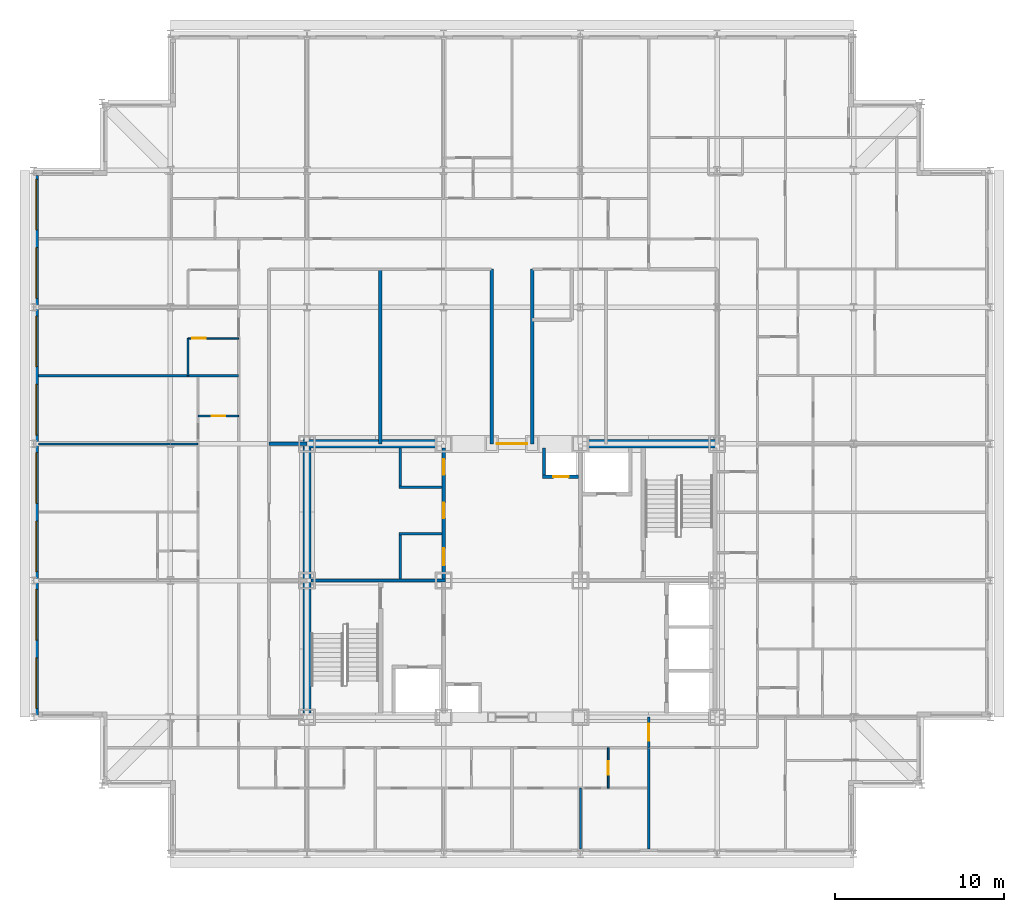
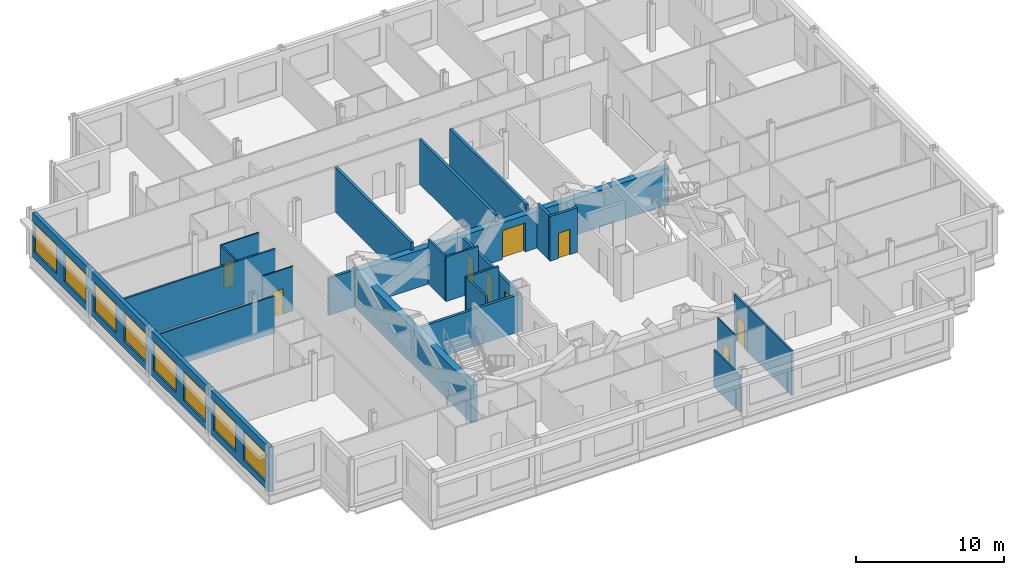
# One storey, part 9 of 15: 24 walls, 9 doors, 8 windows, 17 openings.
"""IFC4 building model written with IfcOpenShell, lengths in metres."""

from ifc_helpers import new_model, si_unit, direction, frame, frame_2d, origin, place, context, subcontext, project, spatial, rectangle, extrude, material, layer, layer_set, type_object, element, fill, save


model = new_model("IFC4")

# Units and contexts
model_context = context("Model", 3, precision=1e-05, world=origin(), true_north=direction((0.0, 1.0)))
body_context = subcontext(model_context, "Body", "Model", "MODEL_VIEW")
ifc_project = project(units=[si_unit("LENGTHUNIT", "METRE"), si_unit("AREAUNIT", "SQUARE_METRE"), si_unit("VOLUMEUNIT", "CUBIC_METRE"), si_unit("PLANEANGLEUNIT", "RADIAN"), si_unit("MASSUNIT", "GRAM", prefix="KILO")], contexts=[model_context])

# Site, building, storey
site_placement = place(None, origin())
site = spatial("IfcSite", under=ifc_project, at=site_placement, CompositionType="ELEMENT")
building_placement = place(site_placement, origin())
building = spatial("IfcBuilding", under=site, at=building_placement, Name="Kopane Lantern Tower", CompositionType="ELEMENT")
storey_placement = place(building_placement, frame((0.0, 0.0, 246.300048828125)))
storey = spatial("IfcBuildingStorey", under=building, at=storey_placement, Name="L63", CompositionType="ELEMENT", Elevation=246.300048828125)

# Walls
ifc_material_1 = material(Name="Gypsum board on steel studs", Category="steel")
ifc_layer_1 = layer(ifc_material_1, 0.1201171875)
ifc_layer_set_1 = layer_set([ifc_layer_1], Name="APARTMENT INTERNAL WALL 120")
wall_type_1 = type_object("IfcWallType", Name="APARTMENT INTERNAL WALL 120", PredefinedType="PARTITIONING", material=ifc_layer_set_1)
wall_1_placement = place(storey_placement, frame((32.39990234375, 20.10009765625, 0.0), z_axis=(0.0, 0.0, 1.0), x_axis=(0.0, -1.0, 0.0)))
element("IfcWall", 1, at=wall_1_placement, inside=storey, type_object=wall_type_1, Name="Apartment Internal Wall 120 L63", PredefinedType="PARTITIONING", context=body_context, shape_type="SweptSolid", body=[
    extrude(rectangle(XDim=3.60009765625, YDim=0.1201171875, at=frame_2d((1.800048828125, 0.0))), origin(), (0.0, 0.0, 1.0), 3.07763671875),
])
wall_2_placement = place(storey_placement, frame((9.75, 40.5, 0.0), z_axis=(0.0, 0.0, 1.0), x_axis=(-1.0, 0.0, 0.0)))
element("IfcWall", 2, at=wall_2_placement, inside=storey, type_object=wall_type_1, Name="Apartment Internal Wall 120 L63", PredefinedType="PARTITIONING", context=body_context, shape_type="SweptSolid", body=[
    extrude(rectangle(XDim=9.449951171875, YDim=0.1201171875, at=frame_2d((4.72509765625, 0.0))), origin(), (0.0, 0.0, 1.0), 3.07763671875),
])

# Wall, opening, door
ifc_material_2 = material(Name="Moisture-resistant board on steel studs", Category="steel")
ifc_layer_2 = layer(ifc_material_2, 0.10009765625)
ifc_layer_set_2 = layer_set([ifc_layer_2], Name="BATHROOM WALL 100")
wall_type_2 = type_object("IfcWallType", Name="BATHROOM WALL 100", PredefinedType="PARTITIONING", material=ifc_layer_set_2)
wall_3_placement = place(storey_placement, frame((34.050048828125, 22.5, 0.0), z_axis=(0.0, 0.0, 1.0), x_axis=(0.0, -1.0, 0.0)))
wall_3 = element("IfcWall", 3, at=wall_3_placement, inside=storey, type_object=wall_type_2, Name="Bathroom Wall 100 L63", PredefinedType="PARTITIONING", context=body_context, shape_type="SweptSolid", body=[
    extrude(rectangle(XDim=2.39990234375, YDim=0.10009765625, at=frame_2d((1.199951171875, 0.0))), origin(), (0.0, 0.0, 1.0), 3.68994140625),
])
opening_1_placement = place(wall_3_placement, frame((0.800048828125, 0.0, 0.0)))
opening_1 = element("IfcOpeningElement", 4, at=opening_1_placement, cuts=wall_3, Name="Opening L63-014", PredefinedType="OPENING", context=body_context, shape_type="SweptSolid", body=[
    extrude(rectangle(XDim=0.800048828125, YDim=2.10009765625, at=frame_2d((0.39990234375, 1.050048828125))), frame((0.0, 0.06005859375, 0.0), z_axis=(0.0, -1.0, 0.0), x_axis=(1.0, 0.0, 0.0)), (0.0, 0.0, 1.0), 0.1201171875),
])
ifc_material_3 = material(Name="Timber door set", Category="wood")
door_type_1 = type_object("IfcDoorType", Name="DOOR D2 800x2100", OperationType="SINGLE_SWING_LEFT", PredefinedType="DOOR", material=ifc_material_3)
door_1_placement = place(opening_1_placement, origin())
door_1 = element("IfcDoor", 5, at=door_1_placement, inside=storey, type_object=door_type_1, Name="Door L63-014", OperationType="SINGLE_SWING_LEFT", OverallHeight=2.10009765625, OverallWidth=0.800048828125, PredefinedType="DOOR", context=body_context, shape_type="SweptSolid", body=[
    extrude(rectangle(XDim=0.800048828125, YDim=2.10009765625, at=frame_2d((0.39990234375, 1.050048828125))), frame((0.0, 0.02490234375, 0.0), z_axis=(0.0, -1.0, 0.0), x_axis=(1.0, 0.0, 0.0)), (0.0, 0.0, 1.0), 0.050048828125),
])
fill(opening_1, door_1)

wall_4_placement = place(storey_placement, frame((12.14990234375, 42.14990234375, 0.0), z_axis=(0.0, 0.0, 1.0), x_axis=(-1.0, 0.0, 0.0)))
wall_4 = element("IfcWall", 6, at=wall_4_placement, inside=storey, type_object=wall_type_2, Name="Bathroom Wall 100 L63", PredefinedType="PARTITIONING", context=body_context, shape_type="SweptSolid", body=[
    extrude(rectangle(XDim=2.39990234375, YDim=0.10009765625, at=frame_2d((1.199951171875, 0.0))), origin(), (0.0, 0.0, 1.0), 3.68994140625),
])
opening_2_placement = place(wall_4_placement, frame((0.800048828125, 0.0, 0.0)))
opening_2 = element("IfcOpeningElement", 7, at=opening_2_placement, cuts=wall_4, Name="Opening L63-025", PredefinedType="OPENING", context=body_context, shape_type="SweptSolid", body=[
    extrude(rectangle(XDim=0.800048828125, YDim=2.10009765625, at=frame_2d((0.39990234375, 1.050048828125))), frame((0.0, 0.06005859375, 0.0), z_axis=(0.0, -1.0, 0.0), x_axis=(1.0, 0.0, 0.0)), (0.0, 0.0, 1.0), 0.1201171875),
])
door_2_placement = place(opening_2_placement, origin())
door_2 = element("IfcDoor", 8, at=door_2_placement, inside=storey, type_object=door_type_1, Name="Door L63-025", OperationType="SINGLE_SWING_RIGHT", OverallHeight=2.10009765625, OverallWidth=0.800048828125, PredefinedType="DOOR", context=body_context, shape_type="SweptSolid", body=[
    extrude(rectangle(XDim=0.800048828125, YDim=2.10009765625, at=frame_2d((0.39990234375, 1.050048828125))), frame((0.0, 0.02490234375, 0.0), z_axis=(0.0, -1.0, 0.0), x_axis=(1.0, 0.0, 0.0)), (0.0, 0.0, 1.0), 0.050048828125),
])
fill(opening_2, door_2)

# Wall
wall_5_placement = place(storey_placement, frame((9.14990234375, 44.550048828125, 0.0), z_axis=(0.0, 0.0, 1.0), x_axis=(0.0, 1.0, 0.0)))
element("IfcWall", 9, at=wall_5_placement, inside=storey, type_object=wall_type_2, Name="Bathroom Wall 100 L63", PredefinedType="PARTITIONING", context=body_context, shape_type="SweptSolid", body=[
    extrude(rectangle(XDim=2.199951171875, YDim=0.10009765625, at=frame_2d((1.10009765625, 0.0))), origin(), (0.0, 0.0, 1.0), 3.68994140625),
])

# Wall, opening, door
wall_6_placement = place(storey_placement, frame((12.14990234375, 46.75, 0.0), z_axis=(0.0, 0.0, 1.0), x_axis=(-1.0, 0.0, 0.0)))
wall_6 = element("IfcWall", 10, at=wall_6_placement, inside=storey, type_object=wall_type_2, Name="Bathroom Wall 100 L63", PredefinedType="PARTITIONING", context=body_context, shape_type="SweptSolid", body=[
    extrude(rectangle(XDim=3.0, YDim=0.10009765625, at=frame_2d((1.5, 0.0))), origin(), (0.0, 0.0, 1.0), 3.68994140625),
])
opening_3_placement = place(wall_6_placement, frame((1.949951171875, 0.0, 0.0)))
opening_3 = element("IfcOpeningElement", 11, at=opening_3_placement, cuts=wall_6, Name="Opening L63-032", PredefinedType="OPENING", context=body_context, shape_type="SweptSolid", body=[
    extrude(rectangle(XDim=0.800048828125, YDim=2.10009765625, at=frame_2d((0.39990234375, 1.050048828125))), frame((0.0, 0.06005859375, 0.0), z_axis=(0.0, -1.0, 0.0), x_axis=(1.0, 0.0, 0.0)), (0.0, 0.0, 1.0), 0.1201171875),
])
door_3_placement = place(opening_3_placement, origin())
door_3 = element("IfcDoor", 12, at=door_3_placement, inside=storey, type_object=door_type_1, Name="Door L63-032", OperationType="SINGLE_SWING_RIGHT", OverallHeight=2.10009765625, OverallWidth=0.800048828125, PredefinedType="DOOR", context=body_context, shape_type="SweptSolid", body=[
    extrude(rectangle(XDim=0.800048828125, YDim=2.10009765625, at=frame_2d((0.39990234375, 1.050048828125))), frame((0.0, 0.02490234375, 0.0), z_axis=(0.0, -1.0, 0.0), x_axis=(1.0, 0.0, 0.0)), (0.0, 0.0, 1.0), 0.050048828125),
])
fill(opening_3, door_3)

ifc_material_4 = material(Name="Gypsum shaft wall EI 120", Category="gypsum")
ifc_layer_3 = layer(ifc_material_4, 0.5)
ifc_layer_set_3 = layer_set([ifc_layer_3], Name="CORE PERIMETER WALL 500 EI 120")
wall_type_3 = type_object("IfcWallType", Name="CORE PERIMETER WALL 500 EI 120", PredefinedType="SOLIDWALL", material=ifc_layer_set_3)
wall_7_placement = place(storey_placement, frame((15.949951171875, 40.5, 0.0), z_axis=(0.0, 0.0, 1.0), x_axis=(1.0, 0.0, 0.0)))
wall_7 = element("IfcWall", 13, at=wall_7_placement, inside=storey, type_object=wall_type_3, Name="Core shaft wall L63 PN", PredefinedType="SOLIDWALL", context=body_context, shape_type="SweptSolid", body=[
    extrude(rectangle(XDim=24.550048828125, YDim=0.5, at=frame_2d((12.27490234375, 0.0))), origin(), (0.0, 0.0, 1.0), 3.0400390625),
])
opening_4_placement = place(wall_7_placement, frame((11.5, 0.0, 0.0)))
opening_4 = element("IfcOpeningElement", 14, at=opening_4_placement, cuts=wall_7, Name="Opening 63.CE-N", PredefinedType="OPENING", context=body_context, shape_type="SweptSolid", body=[
    extrude(rectangle(XDim=1.800048828125, YDim=2.39990234375, at=frame_2d((0.89990234375, 1.199951171875))), frame((0.0, 0.260009765625, 0.0), z_axis=(0.0, -1.0, 0.0), x_axis=(1.0, 0.0, 0.0)), (0.0, 0.0, 1.0), 0.52001953125),
])
ifc_material_5 = material(Name="Steel door set", Category="steel")
door_type_2 = type_object("IfcDoorType", Name="CORE ENTRY DOOR 1800x2400 FD60S", OperationType="DOUBLE_DOOR_SINGLE_SWING", PredefinedType="DOOR", material=ifc_material_5)
door_4_placement = place(opening_4_placement, origin())
door_4 = element("IfcDoor", 15, at=door_4_placement, inside=storey, type_object=door_type_2, Name="Core entry door L63 north", OperationType="DOUBLE_DOOR_SINGLE_SWING", OverallHeight=2.39990234375, OverallWidth=1.800048828125, PredefinedType="DOOR", context=body_context, shape_type="SweptSolid", body=[
    extrude(rectangle(XDim=1.800048828125, YDim=2.39990234375, at=frame_2d((0.89990234375, 1.199951171875))), frame((0.0, 0.02490234375, 0.0), z_axis=(0.0, -1.0, 0.0), x_axis=(1.0, 0.0, 0.0)), (0.0, 0.0, 1.0), 0.050048828125),
])
fill(opening_4, door_4)

# Walls
wall_8_placement = place(storey_placement, frame((16.199951171875, 24.550048828125, 0.0), z_axis=(0.0, 0.0, 1.0), x_axis=(0.0, 1.0, 0.0)))
element("IfcWall", 16, at=wall_8_placement, inside=storey, type_object=wall_type_3, Name="Core shaft wall L63 PW", PredefinedType="SOLIDWALL", context=body_context, shape_type="SweptSolid", body=[
    extrude(rectangle(XDim=15.699951171875, YDim=0.5, at=frame_2d((7.85009765625, 0.0))), origin(), (0.0, 0.0, 1.0), 3.07763671875),
])
ifc_material_6 = material(Name="Gypsum partition EI 60", Category="gypsum")
ifc_layer_4 = layer(ifc_material_6, 0.14990234375)
ifc_layer_set_4 = layer_set([ifc_layer_4], Name="CORE ROOM PARTITION 150 EI 60")
wall_type_4 = type_object("IfcWallType", Name="CORE ROOM PARTITION 150 EI 60", PredefinedType="PARTITIONING", material=ifc_layer_set_4)
for number, where, z_axis, x_axis, name in (
    (17, (21.64990234375, 35.175048828125, 0.0), (0.0, 0.0, 1.0), (1.0, 0.0, 0.0), "Core room partition L63 WW1"),
    (18, (21.64990234375, 37.925048828125, 0.0), (0.0, 0.0, 1.0), (1.0, 0.0, 0.0), "Core room partition L63 WW2"),
):
    element("IfcWall", number, at=place(storey_placement, frame(where, z_axis=z_axis, x_axis=x_axis)), inside=storey, type_object=wall_type_4, Name=name, PredefinedType="PARTITIONING", context=body_context, shape_type="SweptSolid", body=[
        extrude(rectangle(XDim=2.550048828125, YDim=0.14990234375, at=frame_2d((1.27490234375, 0.0))), origin(), (0.0, 0.0, 1.0), 3.68994140625),
    ])
wall_9_placement = place(storey_placement, frame((21.72509765625, 32.5, 0.0), z_axis=(0.0, 0.0, 1.0), x_axis=(0.0, 1.0, 0.0)))
element("IfcWall", 19, at=wall_9_placement, inside=storey, type_object=wall_type_4, Name="Core room partition L63 WWB0", PredefinedType="PARTITIONING", context=body_context, shape_type="SweptSolid", body=[
    extrude(rectangle(XDim=2.60009765625, YDim=0.14990234375, at=frame_2d((1.300048828125, 0.0))), origin(), (0.0, 0.0, 1.0), 3.68994140625),
])
wall_10_placement = place(storey_placement, frame((21.72509765625, 38.0, 0.0), z_axis=(0.0, 0.0, 1.0), x_axis=(0.0, 1.0, 0.0)))
element("IfcWall", 20, at=wall_10_placement, inside=storey, type_object=wall_type_4, Name="Core room partition L63 WWB1", PredefinedType="PARTITIONING", context=body_context, shape_type="SweptSolid", body=[
    extrude(rectangle(XDim=2.25, YDim=0.14990234375, at=frame_2d((1.125, 0.0))), origin(), (0.0, 0.0, 1.0), 3.68994140625),
])

# Wall, openings, doors
ifc_material_7 = material(Name="Gypsum partition EI 60", Category="gypsum")
ifc_layer_5 = layer(ifc_material_7, 0.199951171875)
ifc_layer_set_5 = layer_set([ifc_layer_5], Name="CORE ROOM WALL 200 EI 60")
wall_type_5 = type_object("IfcWallType", Name="CORE ROOM WALL 200 EI 60", PredefinedType="PARTITIONING", material=ifc_layer_set_5)
wall_11_placement = place(storey_placement, frame((24.300048828125, 32.5, 0.0), z_axis=(0.0, 0.0, 1.0), x_axis=(0.0, 1.0, 0.0)))
wall_11 = element("IfcWall", 21, at=wall_11_placement, inside=storey, type_object=wall_type_5, Name="Core room wall L63 XW", PredefinedType="PARTITIONING", context=body_context, shape_type="SweptSolid", body=[
    extrude(rectangle(XDim=7.75, YDim=0.199951171875, at=frame_2d((3.875, 0.0))), origin(), (0.0, 0.0, 1.0), 3.07763671875),
])
opening_5_placement = place(wall_11_placement, frame((0.800048828125, 0.0, 0.0)))
opening_5 = element("IfcOpeningElement", 22, at=opening_5_placement, cuts=wall_11, Name="Opening 63.C30", PredefinedType="OPENING", context=body_context, shape_type="SweptSolid", body=[
    extrude(rectangle(XDim=1.0, YDim=2.10009765625, at=frame_2d((0.5, 1.050048828125))), frame((0.0, 0.10986328125, 0.0), z_axis=(0.0, -1.0, 0.0), x_axis=(1.0, 0.0, 0.0)), (0.0, 0.0, 1.0), 0.219970703125),
])
opening_6_placement = place(wall_11_placement, frame((3.60009765625, 0.0, 0.0)))
opening_6 = element("IfcOpeningElement", 23, at=opening_6_placement, cuts=wall_11, Name="Opening 63.C31", PredefinedType="OPENING", context=body_context, shape_type="SweptSolid", body=[
    extrude(rectangle(XDim=0.89990234375, YDim=2.10009765625, at=frame_2d((0.449951171875, 1.050048828125))), frame((0.0, 0.10986328125, 0.0), z_axis=(0.0, -1.0, 0.0), x_axis=(1.0, 0.0, 0.0)), (0.0, 0.0, 1.0), 0.219970703125),
])
opening_7_placement = place(wall_11_placement, frame((6.175048828125, 0.0, 0.0)))
opening_7 = element("IfcOpeningElement", 24, at=opening_7_placement, cuts=wall_11, Name="Opening 63.C32", PredefinedType="OPENING", context=body_context, shape_type="SweptSolid", body=[
    extrude(rectangle(XDim=0.89990234375, YDim=2.10009765625, at=frame_2d((0.449951171875, 1.050048828125))), frame((0.0, 0.10986328125, 0.0), z_axis=(0.0, -1.0, 0.0), x_axis=(1.0, 0.0, 0.0)), (0.0, 0.0, 1.0), 0.219970703125),
])
ifc_material_8 = material(Name="Steel door set", Category="steel")
door_type_3 = type_object("IfcDoorType", Name="CORE ROOM DOOR 1000x2100 FD30S", OperationType="SINGLE_SWING_RIGHT", PredefinedType="DOOR", material=ifc_material_8)
door_5_placement = place(opening_5_placement, origin())
door_5 = element("IfcDoor", 25, at=door_5_placement, inside=storey, type_object=door_type_3, Name="Door Concierge pantry L63", OperationType="SINGLE_SWING_LEFT", OverallHeight=2.10009765625, OverallWidth=1.0, PredefinedType="DOOR", context=body_context, shape_type="SweptSolid", body=[
    extrude(rectangle(XDim=1.0, YDim=2.10009765625, at=frame_2d((0.5, 1.050048828125))), frame((0.0, 0.02490234375, 0.0), z_axis=(0.0, -1.0, 0.0), x_axis=(1.0, 0.0, 0.0)), (0.0, 0.0, 1.0), 0.050048828125),
])
fill(opening_5, door_5)
ifc_material_9 = material(Name="Steel door set", Category="steel")
door_type_4 = type_object("IfcDoorType", Name="CORE ROOM DOOR 900x2100 FD60", OperationType="SINGLE_SWING_LEFT", PredefinedType="DOOR", material=ifc_material_9)
door_6_placement = place(opening_6_placement, origin())
door_6 = element("IfcDoor", 26, at=door_6_placement, inside=storey, type_object=door_type_4, Name="Door Residents storage L63", OperationType="SINGLE_SWING_RIGHT", OverallHeight=2.10009765625, OverallWidth=0.89990234375, PredefinedType="DOOR", context=body_context, shape_type="SweptSolid", body=[
    extrude(rectangle(XDim=0.89990234375, YDim=2.10009765625, at=frame_2d((0.449951171875, 1.050048828125))), frame((0.0, 0.02490234375, 0.0), z_axis=(0.0, -1.0, 0.0), x_axis=(1.0, 0.0, 0.0)), (0.0, 0.0, 1.0), 0.050048828125),
])
fill(opening_6, door_6)
door_7_placement = place(opening_7_placement, origin())
door_7 = element("IfcDoor", 27, at=door_7_placement, inside=storey, type_object=door_type_4, Name="Door Cleaner store L63", OperationType="SINGLE_SWING_LEFT", OverallHeight=2.10009765625, OverallWidth=0.89990234375, PredefinedType="DOOR", context=body_context, shape_type="SweptSolid", body=[
    extrude(rectangle(XDim=0.89990234375, YDim=2.10009765625, at=frame_2d((0.449951171875, 1.050048828125))), frame((0.0, 0.02490234375, 0.0), z_axis=(0.0, -1.0, 0.0), x_axis=(1.0, 0.0, 0.0)), (0.0, 0.0, 1.0), 0.050048828125),
])
fill(opening_7, door_7)

# Wall, opening, door
ifc_material_10 = material(Name="Gypsum board on steel studs", Category="steel")
ifc_layer_6 = layer(ifc_material_10, 0.14990234375)
ifc_layer_set_6 = layer_set([ifc_layer_6], Name="CORRIDOR WALL 150 EI 60")
wall_type_6 = type_object("IfcWallType", Name="CORRIDOR WALL 150 EI 60", PredefinedType="PARTITIONING", material=ifc_layer_set_6)
wall_12_placement = place(storey_placement, frame((36.449951171875, 22.5, 0.0), z_axis=(0.0, 0.0, 1.0), x_axis=(0.0, 1.0, 0.0)))
wall_12 = element("IfcWall", 28, at=wall_12_placement, inside=storey, type_object=wall_type_6, Name="Corridor Wall 150 Ei 60 L63", PredefinedType="PARTITIONING", context=body_context, shape_type="SweptSolid", body=[
    extrude(rectangle(XDim=1.800048828125, YDim=0.14990234375, at=frame_2d((0.89990234375, 0.0))), origin(), (0.0, 0.0, 1.0), 3.68994140625),
])
opening_8_placement = place(wall_12_placement, frame((0.39990234375, 0.0, 0.0)))
opening_8 = element("IfcOpeningElement", 29, at=opening_8_placement, cuts=wall_12, Name="Opening L63-043", PredefinedType="OPENING", context=body_context, shape_type="SweptSolid", body=[
    extrude(rectangle(XDim=1.0, YDim=2.10009765625, at=frame_2d((0.5, 1.050048828125))), frame((0.0, 0.0849609375, 0.0), z_axis=(0.0, -1.0, 0.0), x_axis=(1.0, 0.0, 0.0)), (0.0, 0.0, 1.0), 0.169921875),
])
ifc_material_11 = material(Name="Steel door set", Category="steel")
door_type_5 = type_object("IfcDoorType", Name="DOOR D3 1000x2100 FD30S", OperationType="SINGLE_SWING_LEFT", PredefinedType="DOOR", material=ifc_material_11)
door_8_placement = place(opening_8_placement, origin())
door_8 = element("IfcDoor", 30, at=door_8_placement, inside=storey, type_object=door_type_5, Name="Door L63-043", OperationType="SINGLE_SWING_RIGHT", OverallHeight=2.10009765625, OverallWidth=1.0, PredefinedType="DOOR", context=body_context, shape_type="SweptSolid", body=[
    extrude(rectangle(XDim=1.0, YDim=2.10009765625, at=frame_2d((0.5, 1.050048828125))), frame((0.0, 0.02490234375, 0.0), z_axis=(0.0, -1.0, 0.0), x_axis=(1.0, 0.0, 0.0)), (0.0, 0.0, 1.0), 0.050048828125),
])
fill(opening_8, door_8)

# Walls
ifc_material_12 = material(Name="Gypsum board on steel studs", Category="steel")
ifc_layer_7 = layer(ifc_material_12, 0.14990234375)
ifc_layer_set_7 = layer_set([ifc_layer_7], Name="DEMISING WALL 150 EI 60")
wall_type_7 = type_object("IfcWallType", Name="DEMISING WALL 150 EI 60", PredefinedType="PARTITIONING", material=ifc_layer_set_7)
wall_13_placement = place(storey_placement, frame((12.14990234375, 44.550048828125, 0.0), z_axis=(0.0, 0.0, 1.0), x_axis=(-1.0, 0.0, 0.0)))
element("IfcWall", 31, at=wall_13_placement, inside=storey, type_object=wall_type_7, Name="Demising Wall 150 Ei 60 L63", PredefinedType="PARTITIONING", context=body_context, shape_type="SweptSolid", body=[
    extrude(rectangle(XDim=11.849853515625, YDim=0.14990234375, at=frame_2d((5.9248046875, 0.0))), origin(), (0.0, 0.0, 1.0), 3.68994140625),
])
wall_14_placement = place(storey_placement, frame((36.449951171875, 16.5, 0.0), z_axis=(0.0, 0.0, 1.0), x_axis=(0.0, 1.0, 0.0)))
element("IfcWall", 32, at=wall_14_placement, inside=storey, type_object=wall_type_7, Name="Demising Wall 150 Ei 60 L63", PredefinedType="PARTITIONING", context=body_context, shape_type="SweptSolid", body=[
    extrude(rectangle(XDim=6.0, YDim=0.14990234375, at=frame_2d((3.0, 0.0))), origin(), (0.0, 0.0, 1.0), 3.68994140625),
])

# Wall, openings, windows
ifc_material_13 = material(Name="Terracotta rainscreen on light steel framing", Category="masonry")
ifc_layer_8 = layer(ifc_material_13, 0.300048828125)
ifc_layer_set_8 = layer_set([ifc_layer_8], Name="EXTERNAL WALL EW1 300 TERRACOTTA")
wall_type_8 = type_object("IfcWallType", Name="EXTERNAL WALL EW1 300 TERRACOTTA", PredefinedType="SOLIDWALL", material=ifc_layer_set_8)
wall_15_placement = place(storey_placement, frame((0.14990234375, 56.39990234375, 0.0), z_axis=(0.0, 0.0, 1.0), x_axis=(0.0, -1.0, 0.0)))
wall_15 = element("IfcWall", 33, at=wall_15_placement, inside=storey, type_object=wall_type_8, Name="External wall W L63", PredefinedType="SOLIDWALL", context=body_context, shape_type="SweptSolid", body=[
    extrude(rectangle(XDim=32.099853515625, YDim=0.300048828125, at=frame_2d((16.0498046875, 0.0))), origin(), (0.0, 0.0, 1.0), 3.68994140625),
])
opening_9_placement = place(wall_15_placement, frame((0.22509765625, 0.0, 0.60009765625)))
opening_9 = element("IfcOpeningElement", 34, at=opening_9_placement, cuts=wall_15, Name="Opening WR300240", PredefinedType="OPENING", context=body_context, shape_type="SweptSolid", body=[
    extrude(rectangle(XDim=3.0, YDim=2.39990234375, at=frame_2d((1.5, 1.199951171875))), frame((0.0, 0.159912109375, 0.0), z_axis=(0.0, -1.0, 0.0), x_axis=(1.0, 0.0, 0.0)), (0.0, 0.0, 1.0), 0.320068359375),
])
opening_10_placement = place(wall_15_placement, frame((4.27490234375, 0.0, 0.60009765625)))
opening_10 = element("IfcOpeningElement", 35, at=opening_10_placement, cuts=wall_15, Name="Opening WR300240", PredefinedType="OPENING", context=body_context, shape_type="SweptSolid", body=[
    extrude(rectangle(XDim=3.0, YDim=2.39990234375, at=frame_2d((1.5, 1.199951171875))), frame((0.0, 0.159912109375, 0.0), z_axis=(0.0, -1.0, 0.0), x_axis=(1.0, 0.0, 0.0)), (0.0, 0.0, 1.0), 0.320068359375),
])
opening_11_placement = place(wall_15_placement, frame((8.324951171875, 0.0, 0.60009765625)))
opening_11 = element("IfcOpeningElement", 36, at=opening_11_placement, cuts=wall_15, Name="Opening WR300240", PredefinedType="OPENING", context=body_context, shape_type="SweptSolid", body=[
    extrude(rectangle(XDim=3.0, YDim=2.39990234375, at=frame_2d((1.5, 1.199951171875))), frame((0.0, 0.159912109375, 0.0), z_axis=(0.0, -1.0, 0.0), x_axis=(1.0, 0.0, 0.0)), (0.0, 0.0, 1.0), 0.320068359375),
])
opening_12_placement = place(wall_15_placement, frame((12.375, 0.0, 0.60009765625)))
opening_12 = element("IfcOpeningElement", 37, at=opening_12_placement, cuts=wall_15, Name="Opening WR300240", PredefinedType="OPENING", context=body_context, shape_type="SweptSolid", body=[
    extrude(rectangle(XDim=3.0, YDim=2.39990234375, at=frame_2d((1.5, 1.199951171875))), frame((0.0, 0.159912109375, 0.0), z_axis=(0.0, -1.0, 0.0), x_axis=(1.0, 0.0, 0.0)), (0.0, 0.0, 1.0), 0.320068359375),
])
opening_13_placement = place(wall_15_placement, frame((16.425048828125, 0.0, 0.60009765625)))
opening_13 = element("IfcOpeningElement", 38, at=opening_13_placement, cuts=wall_15, Name="Opening WR300240", PredefinedType="OPENING", context=body_context, shape_type="SweptSolid", body=[
    extrude(rectangle(XDim=3.0, YDim=2.39990234375, at=frame_2d((1.5, 1.199951171875))), frame((0.0, 0.159912109375, 0.0), z_axis=(0.0, -1.0, 0.0), x_axis=(1.0, 0.0, 0.0)), (0.0, 0.0, 1.0), 0.320068359375),
])
opening_14_placement = place(wall_15_placement, frame((20.47509765625, 0.0, 0.60009765625)))
opening_14 = element("IfcOpeningElement", 39, at=opening_14_placement, cuts=wall_15, Name="Opening WR300240", PredefinedType="OPENING", context=body_context, shape_type="SweptSolid", body=[
    extrude(rectangle(XDim=3.0, YDim=2.39990234375, at=frame_2d((1.5, 1.199951171875))), frame((0.0, 0.159912109375, 0.0), z_axis=(0.0, -1.0, 0.0), x_axis=(1.0, 0.0, 0.0)), (0.0, 0.0, 1.0), 0.320068359375),
])
opening_15_placement = place(wall_15_placement, frame((24.52490234375, 0.0, 0.60009765625)))
opening_15 = element("IfcOpeningElement", 40, at=opening_15_placement, cuts=wall_15, Name="Opening WR300240", PredefinedType="OPENING", context=body_context, shape_type="SweptSolid", body=[
    extrude(rectangle(XDim=3.0, YDim=2.39990234375, at=frame_2d((1.5, 1.199951171875))), frame((0.0, 0.159912109375, 0.0), z_axis=(0.0, -1.0, 0.0), x_axis=(1.0, 0.0, 0.0)), (0.0, 0.0, 1.0), 0.320068359375),
])
opening_16_placement = place(wall_15_placement, frame((28.574951171875, 0.0, 0.60009765625)))
opening_16 = element("IfcOpeningElement", 41, at=opening_16_placement, cuts=wall_15, Name="Opening WR300240", PredefinedType="OPENING", context=body_context, shape_type="SweptSolid", body=[
    extrude(rectangle(XDim=3.0, YDim=2.39990234375, at=frame_2d((1.5, 1.199951171875))), frame((0.0, 0.159912109375, 0.0), z_axis=(0.0, -1.0, 0.0), x_axis=(1.0, 0.0, 0.0)), (0.0, 0.0, 1.0), 0.320068359375),
])
ifc_material_14 = material(Name="Aluminium and clear glass", Category="aluminium")
window_type = type_object("IfcWindowType", Name="RIBBON WINDOW WR300240 3000x2400", PartitioningType="SINGLE_PANEL", PredefinedType="WINDOW", material=ifc_material_14)
window_1_placement = place(opening_9_placement, origin())
window_1 = element("IfcWindow", 42, at=window_1_placement, inside=storey, type_object=window_type, Name="Window W L63", OverallHeight=2.39990234375, OverallWidth=3.0, PartitioningType="SINGLE_PANEL", PredefinedType="WINDOW", context=body_context, shape_type="SweptSolid", body=[
    extrude(rectangle(XDim=3.0, YDim=2.39990234375, at=frame_2d((1.5, 1.199951171875))), frame((0.0, 0.030029296875, 0.0), z_axis=(0.0, -1.0, 0.0), x_axis=(1.0, 0.0, 0.0)), (0.0, 0.0, 1.0), 0.06005859375),
])
fill(opening_9, window_1)
window_2_placement = place(opening_10_placement, origin())
window_2 = element("IfcWindow", 43, at=window_2_placement, inside=storey, type_object=window_type, Name="Window W L63", OverallHeight=2.39990234375, OverallWidth=3.0, PartitioningType="SINGLE_PANEL", PredefinedType="WINDOW", context=body_context, shape_type="SweptSolid", body=[
    extrude(rectangle(XDim=3.0, YDim=2.39990234375, at=frame_2d((1.5, 1.199951171875))), frame((0.0, 0.030029296875, 0.0), z_axis=(0.0, -1.0, 0.0), x_axis=(1.0, 0.0, 0.0)), (0.0, 0.0, 1.0), 0.06005859375),
])
fill(opening_10, window_2)
window_3_placement = place(opening_11_placement, origin())
window_3 = element("IfcWindow", 44, at=window_3_placement, inside=storey, type_object=window_type, Name="Window W L63", OverallHeight=2.39990234375, OverallWidth=3.0, PartitioningType="SINGLE_PANEL", PredefinedType="WINDOW", context=body_context, shape_type="SweptSolid", body=[
    extrude(rectangle(XDim=3.0, YDim=2.39990234375, at=frame_2d((1.5, 1.199951171875))), frame((0.0, 0.030029296875, 0.0), z_axis=(0.0, -1.0, 0.0), x_axis=(1.0, 0.0, 0.0)), (0.0, 0.0, 1.0), 0.06005859375),
])
fill(opening_11, window_3)
window_4_placement = place(opening_12_placement, origin())
window_4 = element("IfcWindow", 45, at=window_4_placement, inside=storey, type_object=window_type, Name="Window W L63", OverallHeight=2.39990234375, OverallWidth=3.0, PartitioningType="SINGLE_PANEL", PredefinedType="WINDOW", context=body_context, shape_type="SweptSolid", body=[
    extrude(rectangle(XDim=3.0, YDim=2.39990234375, at=frame_2d((1.5, 1.199951171875))), frame((0.0, 0.030029296875, 0.0), z_axis=(0.0, -1.0, 0.0), x_axis=(1.0, 0.0, 0.0)), (0.0, 0.0, 1.0), 0.06005859375),
])
fill(opening_12, window_4)
window_5_placement = place(opening_13_placement, origin())
window_5 = element("IfcWindow", 46, at=window_5_placement, inside=storey, type_object=window_type, Name="Window W L63", OverallHeight=2.39990234375, OverallWidth=3.0, PartitioningType="SINGLE_PANEL", PredefinedType="WINDOW", context=body_context, shape_type="SweptSolid", body=[
    extrude(rectangle(XDim=3.0, YDim=2.39990234375, at=frame_2d((1.5, 1.199951171875))), frame((0.0, 0.030029296875, 0.0), z_axis=(0.0, -1.0, 0.0), x_axis=(1.0, 0.0, 0.0)), (0.0, 0.0, 1.0), 0.06005859375),
])
fill(opening_13, window_5)
window_6_placement = place(opening_14_placement, origin())
window_6 = element("IfcWindow", 47, at=window_6_placement, inside=storey, type_object=window_type, Name="Window W L63", OverallHeight=2.39990234375, OverallWidth=3.0, PartitioningType="SINGLE_PANEL", PredefinedType="WINDOW", context=body_context, shape_type="SweptSolid", body=[
    extrude(rectangle(XDim=3.0, YDim=2.39990234375, at=frame_2d((1.5, 1.199951171875))), frame((0.0, 0.030029296875, 0.0), z_axis=(0.0, -1.0, 0.0), x_axis=(1.0, 0.0, 0.0)), (0.0, 0.0, 1.0), 0.06005859375),
])
fill(opening_14, window_6)
window_7_placement = place(opening_15_placement, origin())
window_7 = element("IfcWindow", 48, at=window_7_placement, inside=storey, type_object=window_type, Name="Window W L63", OverallHeight=2.39990234375, OverallWidth=3.0, PartitioningType="SINGLE_PANEL", PredefinedType="WINDOW", context=body_context, shape_type="SweptSolid", body=[
    extrude(rectangle(XDim=3.0, YDim=2.39990234375, at=frame_2d((1.5, 1.199951171875))), frame((0.0, 0.030029296875, 0.0), z_axis=(0.0, -1.0, 0.0), x_axis=(1.0, 0.0, 0.0)), (0.0, 0.0, 1.0), 0.06005859375),
])
fill(opening_15, window_7)
window_8_placement = place(opening_16_placement, origin())
window_8 = element("IfcWindow", 49, at=window_8_placement, inside=storey, type_object=window_type, Name="Window W L63", OverallHeight=2.39990234375, OverallWidth=3.0, PartitioningType="SINGLE_PANEL", PredefinedType="WINDOW", context=body_context, shape_type="SweptSolid", body=[
    extrude(rectangle(XDim=3.0, YDim=2.39990234375, at=frame_2d((1.5, 1.199951171875))), frame((0.0, 0.030029296875, 0.0), z_axis=(0.0, -1.0, 0.0), x_axis=(1.0, 0.0, 0.0)), (0.0, 0.0, 1.0), 0.06005859375),
])
fill(opening_16, window_8)

# Walls
ifc_material_15 = material(Name="Concrete masonry", Category="masonry")
ifc_layer_9 = layer(ifc_material_15, 0.199951171875)
ifc_layer_set_9 = layer_set([ifc_layer_9], Name="PLANT ROOM WALL 200 EI 120")
wall_type_9 = type_object("IfcWallType", Name="PLANT ROOM WALL 200 EI 120", PredefinedType="SOLIDWALL", material=ifc_layer_set_9)
for number, where, z_axis, x_axis, name in (
    (50, (20.550048828125, 50.85009765625, 0.0), (0.0, 0.0, 1.0), (0.0, -1.0, 0.0), "Plant Room Wall 200 Ei 120 L63"),
    (51, (27.14990234375, 40.5, 0.0), (0.0, 0.0, 1.0), (0.0, 1.0, 0.0), "Plant Room Wall 200 Ei 120 L63"),
    (52, (29.550048828125, 40.5, 0.0), (0.0, 0.0, 1.0), (0.0, 1.0, 0.0), "Plant Room Wall 200 Ei 120 L63"),
):
    element("IfcWall", number, at=place(storey_placement, frame(where, z_axis=z_axis, x_axis=x_axis)), inside=storey, type_object=wall_type_9, Name=name, PredefinedType="SOLIDWALL", context=body_context, shape_type="SweptSolid", body=[
        extrude(rectangle(XDim=10.35009765625, YDim=0.199951171875, at=frame_2d((5.175048828125, 0.0))), origin(), (0.0, 0.0, 1.0), 3.68994140625),
    ])
wall_16_placement = place(storey_placement, frame((13.949951171875, 40.5, 0.0), z_axis=(0.0, 0.0, 1.0), x_axis=(1.0, 0.0, 0.0)))
element("IfcWall", 53, at=wall_16_placement, inside=storey, type_object=wall_type_9, Name="Plant Room Wall 200 Ei 120 L63", PredefinedType="SOLIDWALL", context=body_context, shape_type="SweptSolid", body=[
    extrude(rectangle(XDim=2.25, YDim=0.199951171875, at=frame_2d((1.125, 0.0))), origin(), (0.0, 0.0, 1.0), 3.07763671875),
])
ifc_material_16 = material(Name="Gypsum shaft wall EI 120", Category="gypsum")
ifc_layer_10 = layer(ifc_material_16, 0.199951171875)
ifc_layer_set_10 = layer_set([ifc_layer_10], Name="SHAFT WALL 200 EI 120")
wall_type_10 = type_object("IfcWallType", Name="SHAFT WALL 200 EI 120", PredefinedType="SOLIDWALL", material=ifc_layer_set_10)
wall_17_placement = place(storey_placement, frame((16.449951171875, 32.39990234375, 0.0), z_axis=(0.0, 0.0, 1.0), x_axis=(1.0, 0.0, 0.0)))
element("IfcWall", 54, at=wall_17_placement, inside=storey, type_object=wall_type_10, Name="Core shaft wall L63 Y324W", PredefinedType="SOLIDWALL", context=body_context, shape_type="SweptSolid", body=[
    extrude(rectangle(XDim=7.949951171875, YDim=0.199951171875, at=frame_2d((3.97509765625, 0.0))), origin(), (0.0, 0.0, 1.0), 3.07763671875),
])
wall_18_placement = place(storey_placement, frame((30.25, 38.64990234375, 0.0), z_axis=(0.0, 0.0, 1.0), x_axis=(0.0, 1.0, 0.0)))
element("IfcWall", 55, at=wall_18_placement, inside=storey, type_object=wall_type_10, Name="Core shaft wall L63 XRS2", PredefinedType="SOLIDWALL", context=body_context, shape_type="SweptSolid", body=[
    extrude(rectangle(XDim=1.60009765625, YDim=0.199951171875, at=frame_2d((0.800048828125, 0.0))), origin(), (0.0, 0.0, 1.0), 3.68994140625),
])

# Wall, opening, door
wall_19_placement = place(storey_placement, frame((30.14990234375, 38.550048828125, 0.0), z_axis=(0.0, 0.0, 1.0), x_axis=(1.0, 0.0, 0.0)))
wall_19 = element("IfcWall", 56, at=wall_19_placement, inside=storey, type_object=wall_type_10, Name="Core shaft wall L63 YRS2", PredefinedType="SOLIDWALL", context=body_context, shape_type="SweptSolid", body=[
    extrude(rectangle(XDim=2.150146484375, YDim=0.199951171875, at=frame_2d((1.0751953125, 0.0))), origin(), (0.0, 0.0, 1.0), 3.68994140625),
])
opening_17_placement = place(wall_19_placement, frame((0.64990234375, 0.0, 0.0)))
opening_17 = element("IfcOpeningElement", 57, at=opening_17_placement, cuts=wall_19, Name="Opening 63.RS2", PredefinedType="OPENING", context=body_context, shape_type="SweptSolid", body=[
    extrude(rectangle(XDim=0.89990234375, YDim=2.10009765625, at=frame_2d((0.449951171875, 1.050048828125))), frame((0.0, 0.10986328125, 0.0), z_axis=(0.0, -1.0, 0.0), x_axis=(1.0, 0.0, 0.0)), (0.0, 0.0, 1.0), 0.219970703125),
])
ifc_material_17 = material(Name="Steel door set", Category="steel")
door_type_6 = type_object("IfcDoorType", Name="RISER ACCESS DOOR 900x2100 FD60", OperationType="SINGLE_SWING_LEFT", PredefinedType="DOOR", material=ifc_material_17)
door_9_placement = place(opening_17_placement, origin())
door_9 = element("IfcDoor", 58, at=door_9_placement, inside=storey, type_object=door_type_6, Name="Riser access door RS2 L63", OperationType="SINGLE_SWING_LEFT", OverallHeight=2.10009765625, OverallWidth=0.89990234375, PredefinedType="DOOR", context=body_context, shape_type="SweptSolid", body=[
    extrude(rectangle(XDim=0.89990234375, YDim=2.10009765625, at=frame_2d((0.449951171875, 1.050048828125))), frame((0.0, 0.02490234375, 0.0), z_axis=(0.0, -1.0, 0.0), x_axis=(1.0, 0.0, 0.0)), (0.0, 0.0, 1.0), 0.050048828125),
])
fill(opening_17, door_9)

save(model, "model.ifc")
